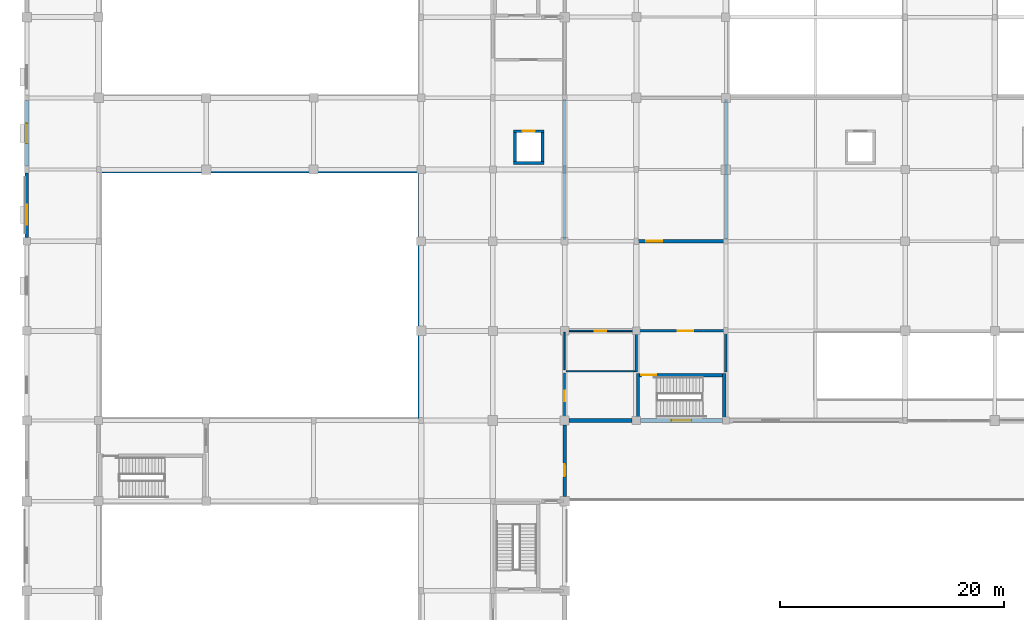
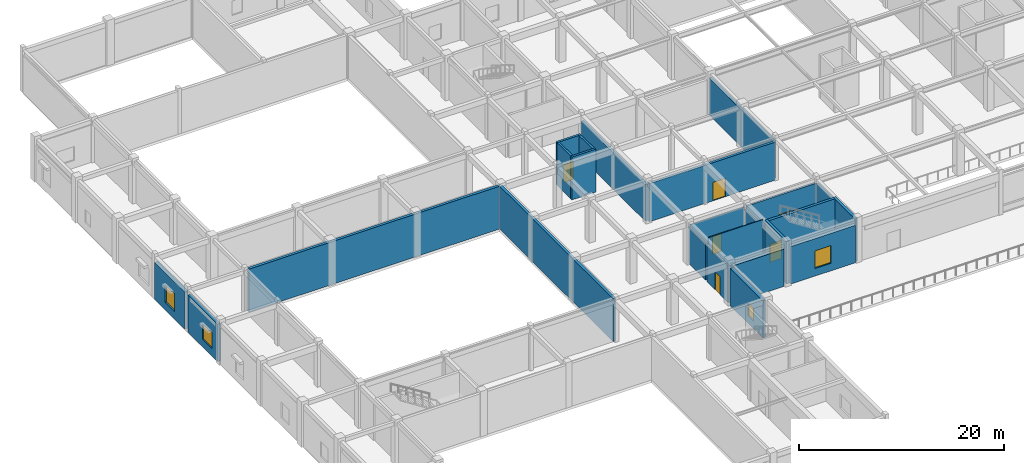
# One storey, part 22 of 36: 24 walls, 6 doors, 4 windows, 10 openings.
"""IFC4 building model written with IfcOpenShell, lengths in metres."""

from ifc_helpers import new_model, si_unit, direction, frame, frame_2d, origin, place, context, subcontext, project, spatial, rectangle, extrude, material, layer, layer_set, type_object, element, fill, save


model = new_model("IFC4")

# Units and contexts
model_context = context("Model", 3, precision=1e-05, world=origin(), true_north=direction((0.0, 1.0)))
body_context = subcontext(model_context, "Body", "Model", "MODEL_VIEW")
ifc_project = project(units=[si_unit("LENGTHUNIT", "METRE"), si_unit("AREAUNIT", "SQUARE_METRE"), si_unit("VOLUMEUNIT", "CUBIC_METRE"), si_unit("PLANEANGLEUNIT", "RADIAN"), si_unit("MASSUNIT", "GRAM", prefix="KILO")], contexts=[model_context])

# Site, building, storey
site_placement = place(None, origin())
site = spatial("IfcSite", under=ifc_project, at=site_placement, CompositionType="ELEMENT")
building_placement = place(site_placement, origin())
building = spatial("IfcBuilding", under=site, at=building_placement, Name="Vellmiral Cinema and Media Centre", CompositionType="ELEMENT")
storey_placement = place(building_placement, frame((0.0, 0.0, 5.39990234375)))
storey = spatial("IfcBuildingStorey", under=building, at=storey_placement, Name="L01", CompositionType="ELEMENT", Elevation=5.39990234375)

# Wall, opening, door
ifc_material_1 = material(Name="Calcium-Silicate Masonry Blockwork", Category="masonry")
ifc_layer_1 = layer(ifc_material_1, 0.10009765625, Name="Calcium-Silicate Masonry Blockwork", Category="masonry")
ifc_material_2 = material(Name="Mineral Wool Acoustic Insulation", Category="insulation")
ifc_layer_2 = layer(ifc_material_2, 0.090087890625, Name="Mineral Wool Acoustic Insulation", Category="insulation")
ifc_layer_3 = layer(ifc_material_1, 0.10009765625, Name="Calcium-Silicate Masonry Blockwork", Category="masonry")
ifc_layer_set_1 = layer_set([ifc_layer_1, ifc_layer_2, ifc_layer_3], Name="Calcium-Silicate Masonry Blockwork")
wall_type_1 = type_object("IfcWallType", Name="WL-AC-290", PredefinedType="SOLIDWALL", material=ifc_layer_set_1)
wall_1_placement = place(storey_placement, frame((48.139892578125, 59.199951171875, 0.0), z_axis=(0.0, 0.0, 1.0), x_axis=(1.0, 0.0, 0.0)))
wall_1 = element("IfcWall", 1, at=wall_1_placement, inside=storey, type_object=wall_type_1, Name="Broadcast Transmission Control Room A Wall S", PredefinedType="SOLIDWALL", context=body_context, shape_type="SweptSolid", body=[
    extrude(rectangle(XDim=14.1201171875, YDim=0.2900390625, at=frame_2d((7.06005859375, 0.0))), origin(), (0.0, 0.0, 1.0), 4.53515625),
])
opening_1_placement = place(wall_1_placement, frame((7.159912109375, 0.0, 0.0)))
opening_1 = element("IfcOpeningElement", 2, at=opening_1_placement, cuts=wall_1, Name="Opening D-AC4", PredefinedType="OPENING", context=body_context, shape_type="SweptSolid", body=[
    extrude(rectangle(XDim=1.39990234375, YDim=2.199951171875, at=frame_2d((0.699951171875, 1.10009765625))), frame((0.0, 0.156982421875, 0.0), z_axis=(0.0, -1.0, 0.0), x_axis=(1.0, 0.0, 0.0)), (0.0, 0.0, 1.0), 0.31396484375),
])
ifc_material_3 = material(Name="Acoustic Studio Door", Category="steel")
door_type_1 = type_object("IfcDoorType", Name="DR-AC-1400x2200", OperationType="NOTDEFINED", PredefinedType="DOOR", material=ifc_material_3)
door_1_placement = place(opening_1_placement, frame((1.39990234375, 0.0, 0.0), z_axis=(0.0, 0.0, 1.0), x_axis=(-1.0, 0.0, 0.0)))
door_1 = element("IfcDoor", 3, at=door_1_placement, inside=storey, type_object=door_type_1, Name="Broadcast Transmission Control Room A Door", OperationType="SINGLE_SWING_LEFT", OverallHeight=2.199951171875, OverallWidth=1.39990234375, PredefinedType="DOOR", context=body_context, shape_type="SweptSolid", body=[
    extrude(rectangle(XDim=1.39990234375, YDim=2.199951171875, at=frame_2d((0.699951171875, 1.10009765625))), frame((0.0, 0.02490234375, 0.0), z_axis=(0.0, -1.0, 0.0), x_axis=(1.0, 0.0, 0.0)), (0.0, 0.0, 1.0), 0.050048828125),
])
fill(opening_1, door_1)

# Walls
wall_2_placement = place(storey_placement, frame((48.0, 59.340087890625, 0.0), z_axis=(0.0, 0.0, 1.0), x_axis=(0.0, 1.0, 0.0)))
element("IfcWall", 4, at=wall_2_placement, inside=storey, type_object=wall_type_1, Name="Broadcast Transmission Control Room A Wall W", PredefinedType="SOLIDWALL", context=body_context, shape_type="SweptSolid", body=[
    extrude(rectangle(XDim=12.52001953125, YDim=0.2900390625, at=frame_2d((6.260009765625, 0.0))), origin(), (0.0, 0.0, 1.0), 4.335205078125),
])
wall_3_placement = place(storey_placement, frame((62.39990234375, 59.340087890625, 0.0), z_axis=(0.0, 0.0, 1.0), x_axis=(0.0, 1.0, 0.0)))
element("IfcWall", 5, at=wall_3_placement, inside=storey, type_object=wall_type_1, Name="Broadcast Transmission Control Room A Wall E", PredefinedType="SOLIDWALL", context=body_context, shape_type="SweptSolid", body=[
    extrude(rectangle(XDim=12.52001953125, YDim=0.2900390625, at=frame_2d((6.260009765625, 0.0))), origin(), (0.0, 0.0, 1.0), 4.43505859375),
])
ifc_material_4 = material(Name="Concrete C40/50", Category="concrete")
ifc_layer_4 = layer(ifc_material_4, 0.300048828125, Name="Concrete C40/50")
ifc_layer_set_2 = layer_set([ifc_layer_4], Name="Concrete C40/50")
wall_type_2 = type_object("IfcWallType", Name="WL-CORE-300", PredefinedType="SHEAR", material=ifc_layer_set_2)
wall_4_placement = place(storey_placement, frame((6.699951171875, 65.449951171875, 0.0), z_axis=(0.0, 0.0, 1.0), x_axis=(1.0, 0.0, 0.0)))
element("IfcWall", 6, at=wall_4_placement, inside=storey, type_object=wall_type_2, Name="Cinema Screen 2 Acoustic Enclosure Wall L01-N1", PredefinedType="SHEAR", context=body_context, shape_type="SweptSolid", body=[
    extrude(rectangle(XDim=28.199951171875, YDim=0.300048828125, at=frame_2d((14.10009765625, 0.0))), origin(), (0.0, 0.0, 1.0), 5.10009765625),
])
wall_5_placement = place(storey_placement, frame((35.050048828125, 43.199951171875, 0.0), z_axis=(0.0, 0.0, 1.0), x_axis=(0.0, 1.0, 0.0)))
element("IfcWall", 7, at=wall_5_placement, inside=storey, type_object=wall_type_2, Name="Cinema Screen 2 Acoustic Enclosure Wall L01-E1", PredefinedType="SHEAR", context=body_context, shape_type="SweptSolid", body=[
    extrude(rectangle(XDim=22.400146484375, YDim=0.300048828125, at=frame_2d((11.2001953125, 0.0))), origin(), (0.0, 0.0, 1.0), 5.10009765625),
])
for number, where, z_axis, x_axis, name in (
    (8, (54.550048828125, 43.199951171875, 0.0), (0.0, 0.0, 1.0), (0.0, 1.0, 0.0), "Stair Core Wall ST-P3 L01-W"),
    (9, (62.25, 43.199951171875, 0.0), (0.0, 0.0, 1.0), (0.0, 1.0, 0.0), "Stair Core Wall ST-P3 L01-E"),
):
    element("IfcWall", number, at=place(storey_placement, frame(where, z_axis=z_axis, x_axis=x_axis)), inside=storey, type_object=wall_type_2, Name=name, PredefinedType="SHEAR", context=body_context, shape_type="SweptSolid", body=[
        extrude(rectangle(XDim=4.199951171875, YDim=0.300048828125, at=frame_2d((2.10009765625, 0.0))), origin(), (0.0, 0.0, 1.0), 5.10009765625),
    ])

# Wall, opening, door
wall_6_placement = place(storey_placement, frame((54.699951171875, 47.25, 0.0), z_axis=(0.0, 0.0, 1.0), x_axis=(1.0, 0.0, 0.0)))
wall_6 = element("IfcWall", 10, at=wall_6_placement, inside=storey, type_object=wall_type_2, Name="Stair Core Wall ST-P3 L01-N", PredefinedType="SHEAR", context=body_context, shape_type="SweptSolid", body=[
    extrude(rectangle(XDim=7.400146484375, YDim=0.300048828125, at=frame_2d((3.7001953125, 0.0))), origin(), (0.0, 0.0, 1.0), 5.10009765625),
])
opening_2_placement = place(wall_6_placement, frame((0.159912109375, 0.0, 0.0)))
opening_2 = element("IfcOpeningElement", 11, at=opening_2_placement, cuts=wall_6, Name="Opening D-FD30A", PredefinedType="OPENING", context=body_context, shape_type="SweptSolid", body=[
    extrude(rectangle(XDim=1.300048828125, YDim=2.179931640625, at=frame_2d((0.64990234375, 1.08984375))), frame((0.0, 0.162109375, 0.0), z_axis=(0.0, -1.0, 0.0), x_axis=(1.0, 0.0, 0.0)), (0.0, 0.0, 1.0), 0.323974609375),
])
ifc_material_5 = material(Name="Steel Stair Fire Door", Category="steel")
door_type_2 = type_object("IfcDoorType", Name="DR-FD30-1300x2180", OperationType="NOTDEFINED", PredefinedType="DOOR", material=ifc_material_5)
door_2_placement = place(opening_2_placement, frame((1.300048828125, 0.0, 0.0), z_axis=(0.0, 0.0, 1.0), x_axis=(-1.0, 0.0, 0.0)))
door_2 = element("IfcDoor", 12, at=door_2_placement, inside=storey, type_object=door_type_2, Name="Protected Stair Door ST-P3 L01", OperationType="SINGLE_SWING_RIGHT", OverallHeight=2.179931640625, OverallWidth=1.300048828125, PredefinedType="DOOR", context=body_context, shape_type="SweptSolid", body=[
    extrude(rectangle(XDim=1.300048828125, YDim=2.179931640625, at=frame_2d((0.64990234375, 1.08984375))), frame((0.0, 0.02490234375, 0.0), z_axis=(0.0, -1.0, 0.0), x_axis=(1.0, 0.0, 0.0)), (0.0, 0.0, 1.0), 0.050048828125),
])
fill(opening_2, door_2)

# Wall, opening, window
ifc_material_6 = material(Name="Polychrome Glazed Ceramic Cladding", Category="masonry")
ifc_layer_5 = layer(ifc_material_6, 0.320068359375, Name="Polychrome Glazed Ceramic Cladding")
ifc_layer_set_3 = layer_set([ifc_layer_5], Name="Polychrome Glazed Ceramic Cladding")
wall_type_3 = type_object("IfcWallType", Name="WL-EXT-BRICK-320", PredefinedType="SOLIDWALL", material=ifc_layer_set_3)
wall_7_placement = place(storey_placement, frame((48.0, 36.425048828125, 0.0), z_axis=(0.0, 0.0, 1.0), x_axis=(0.0, 1.0, 0.0)))
wall_7 = element("IfcWall", 13, at=wall_7_placement, inside=storey, type_object=wall_type_3, Name="Exterior Facade Wall L01-009", PredefinedType="SOLIDWALL", context=body_context, shape_type="SweptSolid", body=[
    extrude(rectangle(XDim=6.375, YDim=0.320068359375, at=frame_2d((3.1875, 0.0))), origin(), (0.0, 0.0, 1.0), 4.440185546875),
])
opening_3_placement = place(wall_7_placement, frame((1.78759765625, 0.0, 0.89990234375)))
opening_3 = element("IfcOpeningElement", 14, at=opening_3_placement, cuts=wall_7, Name="Opening WN-11", PredefinedType="OPENING", context=body_context, shape_type="SweptSolid", body=[
    extrude(rectangle(XDim=1.10009765625, YDim=1.550048828125, at=frame_2d((0.550048828125, 0.77490234375))), frame((0.0, 0.171875, 0.0), z_axis=(0.0, -1.0, 0.0), x_axis=(1.0, 0.0, 0.0)), (0.0, 0.0, 1.0), 0.343994140625),
])
ifc_material_7 = material(Name="Thermally Broken Aluminium Triple Glazing", Category="aluminium")
window_type_1 = type_object("IfcWindowType", Name="WN-1100x1550", PartitioningType="SINGLE_PANEL", PredefinedType="WINDOW", material=ifc_material_7)
window_1_placement = place(opening_3_placement, origin())
window_1 = element("IfcWindow", 15, at=window_1_placement, inside=storey, type_object=window_type_1, Name="Window L01-009", OverallHeight=1.550048828125, OverallWidth=1.10009765625, PartitioningType="SINGLE_PANEL", PredefinedType="WINDOW", context=body_context, shape_type="SweptSolid", body=[
    extrude(rectangle(XDim=1.10009765625, YDim=1.550048828125, at=frame_2d((0.550048828125, 0.77490234375))), frame((0.0, 0.030029296875, 0.0), z_axis=(0.0, -1.0, 0.0), x_axis=(1.0, 0.0, 0.0)), (0.0, 0.0, 1.0), 0.06005859375),
])
fill(opening_3, window_1)

wall_8_placement = place(storey_placement, frame((0.0, 65.300048828125, 0.0), z_axis=(0.0, 0.0, 1.0), x_axis=(0.0, -1.0, 0.0)))
wall_8 = element("IfcWall", 16, at=wall_8_placement, inside=storey, type_object=wall_type_3, Name="Exterior Facade Wall L01-072", PredefinedType="SOLIDWALL", context=body_context, shape_type="SweptSolid", body=[
    extrude(rectangle(XDim=5.775146484375, YDim=0.320068359375, at=frame_2d((2.8876953125, 0.0))), origin(), (0.0, 0.0, 1.0), 4.440185546875),
])
opening_4_placement = place(wall_8_placement, frame((2.83740234375, 0.0, 0.89990234375)))
opening_4 = element("IfcOpeningElement", 17, at=opening_4_placement, cuts=wall_8, Name="Opening WN-04", PredefinedType="OPENING", context=body_context, shape_type="SweptSolid", body=[
    extrude(rectangle(XDim=1.800048828125, YDim=1.85009765625, at=frame_2d((0.89990234375, 0.925048828125))), frame((0.0, 0.171875, 0.0), z_axis=(0.0, -1.0, 0.0), x_axis=(1.0, 0.0, 0.0)), (0.0, 0.0, 1.0), 0.343994140625),
])
ifc_material_8 = material(Name="Thermally Broken Aluminium Triple Glazing", Category="aluminium")
window_type_2 = type_object("IfcWindowType", Name="WN-1800x1850", PartitioningType="DOUBLE_PANEL_VERTICAL", PredefinedType="WINDOW", material=ifc_material_8)
window_2_placement = place(opening_4_placement, origin())
window_2 = element("IfcWindow", 18, at=window_2_placement, inside=storey, type_object=window_type_2, Name="Window L01-072", OverallHeight=1.85009765625, OverallWidth=1.800048828125, PartitioningType="DOUBLE_PANEL_VERTICAL", PredefinedType="WINDOW", context=body_context, shape_type="SweptSolid", body=[
    extrude(rectangle(XDim=1.800048828125, YDim=1.85009765625, at=frame_2d((0.89990234375, 0.925048828125))), frame((0.0, 0.030029296875, 0.0), z_axis=(0.0, -1.0, 0.0), x_axis=(1.0, 0.0, 0.0)), (0.0, 0.0, 1.0), 0.06005859375),
])
fill(opening_4, window_2)

# Wall
ifc_material_9 = material(Name="Vosges Red Sandstone Masonry", Category="masonry")
ifc_layer_6 = layer(ifc_material_9, 0.3798828125, Name="Vosges Red Sandstone Masonry")
ifc_layer_set_4 = layer_set([ifc_layer_6], Name="Vosges Red Sandstone Masonry")
wall_type_4 = type_object("IfcWallType", Name="WL-EXT-SAND-380", PredefinedType="SOLIDWALL", material=ifc_layer_set_4)
wall_9_placement = place(storey_placement, frame((48.39990234375, 43.199951171875, 0.0), z_axis=(0.0, 0.0, 1.0), x_axis=(1.0, 0.0, 0.0)))
element("IfcWall", 19, at=wall_9_placement, inside=storey, type_object=wall_type_4, Name="Exterior Facade Wall L01-010", PredefinedType="SOLIDWALL", context=body_context, shape_type="SweptSolid", body=[
    extrude(rectangle(XDim=5.625, YDim=0.3798828125, at=frame_2d((2.8125, 0.0))), origin(), (0.0, 0.0, 1.0), 4.440185546875),
])

# Wall, opening, window
wall_10_placement = place(storey_placement, frame((54.77490234375, 43.199951171875, 0.0), z_axis=(0.0, 0.0, 1.0), x_axis=(1.0, 0.0, 0.0)))
wall_10 = element("IfcWall", 20, at=wall_10_placement, inside=storey, type_object=wall_type_4, Name="Exterior Facade Wall L01-011", PredefinedType="SOLIDWALL", context=body_context, shape_type="SweptSolid", body=[
    extrude(rectangle(XDim=7.300048828125, YDim=0.3798828125, at=frame_2d((3.64990234375, 0.0))), origin(), (0.0, 0.0, 1.0), 4.455078125),
])
opening_5_placement = place(wall_10_placement, frame((2.75, 0.0, 0.89990234375)))
opening_5 = element("IfcOpeningElement", 21, at=opening_5_placement, cuts=wall_10, Name="Opening WN-03", PredefinedType="OPENING", context=body_context, shape_type="SweptSolid", body=[
    extrude(rectangle(XDim=1.800048828125, YDim=2.10009765625, at=frame_2d((0.89990234375, 1.050048828125))), frame((0.0, 0.201904296875, 0.0), z_axis=(0.0, -1.0, 0.0), x_axis=(1.0, 0.0, 0.0)), (0.0, 0.0, 1.0), 0.40380859375),
])
ifc_material_10 = material(Name="Thermally Broken Aluminium Triple Glazing", Category="aluminium")
window_type_3 = type_object("IfcWindowType", Name="WN-1800x2100", PartitioningType="DOUBLE_PANEL_VERTICAL", PredefinedType="WINDOW", material=ifc_material_10)
window_3_placement = place(opening_5_placement, origin())
window_3 = element("IfcWindow", 22, at=window_3_placement, inside=storey, type_object=window_type_3, Name="Window L01-011", OverallHeight=2.10009765625, OverallWidth=1.800048828125, PartitioningType="DOUBLE_PANEL_VERTICAL", PredefinedType="WINDOW", context=body_context, shape_type="SweptSolid", body=[
    extrude(rectangle(XDim=1.800048828125, YDim=2.10009765625, at=frame_2d((0.89990234375, 1.050048828125))), frame((0.0, 0.030029296875, 0.0), z_axis=(0.0, -1.0, 0.0), x_axis=(1.0, 0.0, 0.0)), (0.0, 0.0, 1.0), 0.06005859375),
])
fill(opening_5, window_3)

wall_11_placement = place(storey_placement, frame((0.0, 71.75, 0.0), z_axis=(0.0, 0.0, 1.0), x_axis=(0.0, -1.0, 0.0)))
wall_11 = element("IfcWall", 23, at=wall_11_placement, inside=storey, type_object=wall_type_4, Name="Exterior Facade Wall L01-071", PredefinedType="SOLIDWALL", context=body_context, shape_type="SweptSolid", body=[
    extrude(rectangle(XDim=5.85009765625, YDim=0.3798828125, at=frame_2d((2.925048828125, 0.0))), origin(), (0.0, 0.0, 1.0), 4.425048828125),
])
opening_6_placement = place(wall_11_placement, frame((2.02490234375, 0.0, 0.89990234375)))
opening_6 = element("IfcOpeningElement", 24, at=opening_6_placement, cuts=wall_11, Name="Opening WN-03", PredefinedType="OPENING", context=body_context, shape_type="SweptSolid", body=[
    extrude(rectangle(XDim=1.800048828125, YDim=2.10009765625, at=frame_2d((0.89990234375, 1.050048828125))), frame((0.0, 0.201904296875, 0.0), z_axis=(0.0, -1.0, 0.0), x_axis=(1.0, 0.0, 0.0)), (0.0, 0.0, 1.0), 0.40380859375),
])
window_4_placement = place(opening_6_placement, origin())
window_4 = element("IfcWindow", 25, at=window_4_placement, inside=storey, type_object=window_type_3, Name="Window L01-071", OverallHeight=2.10009765625, OverallWidth=1.800048828125, PartitioningType="DOUBLE_PANEL_VERTICAL", PredefinedType="WINDOW", context=body_context, shape_type="SweptSolid", body=[
    extrude(rectangle(XDim=1.800048828125, YDim=2.10009765625, at=frame_2d((0.89990234375, 1.050048828125))), frame((0.0, 0.030029296875, 0.0), z_axis=(0.0, -1.0, 0.0), x_axis=(1.0, 0.0, 0.0)), (0.0, 0.0, 1.0), 0.06005859375),
])
fill(opening_6, window_4)

# Wall, opening, door
ifc_material_11 = material(Name="Concrete C40/50", Category="concrete")
ifc_layer_7 = layer(ifc_material_11, 0.22998046875, Name="Concrete C40/50")
ifc_layer_set_5 = layer_set([ifc_layer_7], Name="Concrete C40/50")
wall_type_5 = type_object("IfcWallType", Name="WL-FFL-230", PredefinedType="SOLIDWALL", material=ifc_layer_set_5)
wall_12_placement = place(storey_placement, frame((54.5400390625, 51.199951171875, 0.0), z_axis=(0.0, 0.0, 1.0), x_axis=(1.0, 0.0, 0.0)))
wall_12 = element("IfcWall", 26, at=wall_12_placement, inside=storey, type_object=wall_type_5, Name="Firefighting Stair Lobby ST-P3 Wall N", PredefinedType="SOLIDWALL", context=body_context, shape_type="SweptSolid", body=[
    extrude(rectangle(XDim=7.719970703125, YDim=0.22998046875, at=frame_2d((3.85986328125, 0.0))), origin(), (0.0, 0.0, 1.0), 4.485107421875),
])
opening_7_placement = place(wall_12_placement, frame((3.56005859375, 0.0, 0.0)))
opening_7 = element("IfcOpeningElement", 27, at=opening_7_placement, cuts=wall_12, Name="Opening D-FD60B", PredefinedType="OPENING", context=body_context, shape_type="SweptSolid", body=[
    extrude(rectangle(XDim=1.39990234375, YDim=2.199951171875, at=frame_2d((0.699951171875, 1.10009765625))), frame((0.0, 0.126953125, 0.0), z_axis=(0.0, -1.0, 0.0), x_axis=(1.0, 0.0, 0.0)), (0.0, 0.0, 1.0), 0.25390625),
])
ifc_material_12 = material(Name="Steel Fire Door", Category="steel")
door_type_3 = type_object("IfcDoorType", Name="DR-FD60-1400x2200", OperationType="NOTDEFINED", PredefinedType="DOOR", material=ifc_material_12)
door_3_placement = place(opening_7_placement, frame((1.39990234375, 0.0, 0.0), z_axis=(0.0, 0.0, 1.0), x_axis=(-1.0, 0.0, 0.0)))
door_3 = element("IfcDoor", 28, at=door_3_placement, inside=storey, type_object=door_type_3, Name="Firefighting Stair Lobby ST-P3 Door", OperationType="SINGLE_SWING_LEFT", OverallHeight=2.199951171875, OverallWidth=1.39990234375, PredefinedType="DOOR", context=body_context, shape_type="SweptSolid", body=[
    extrude(rectangle(XDim=1.39990234375, YDim=2.199951171875, at=frame_2d((0.699951171875, 1.10009765625))), frame((0.0, 0.02490234375, 0.0), z_axis=(0.0, -1.0, 0.0), x_axis=(1.0, 0.0, 0.0)), (0.0, 0.0, 1.0), 0.050048828125),
])
fill(opening_7, door_3)

# Walls
wall_13_placement = place(storey_placement, frame((54.39990234375, 47.5400390625, 0.0), z_axis=(0.0, 0.0, 1.0), x_axis=(0.0, 1.0, 0.0)))
element("IfcWall", 29, at=wall_13_placement, inside=storey, type_object=wall_type_5, Name="Firefighting Stair Lobby ST-P3 Wall W", PredefinedType="SOLIDWALL", context=body_context, shape_type="SweptSolid", body=[
    extrude(rectangle(XDim=3.52001953125, YDim=0.22998046875, at=frame_2d((1.760009765625, 0.0))), origin(), (0.0, 0.0, 1.0), 4.18505859375),
])
wall_14_placement = place(storey_placement, frame((62.39990234375, 47.5400390625, 0.0), z_axis=(0.0, 0.0, 1.0), x_axis=(0.0, 1.0, 0.0)))
element("IfcWall", 30, at=wall_14_placement, inside=storey, type_object=wall_type_5, Name="Firefighting Stair Lobby ST-P3 Wall E", PredefinedType="SOLIDWALL", context=body_context, shape_type="SweptSolid", body=[
    extrude(rectangle(XDim=3.52001953125, YDim=0.22998046875, at=frame_2d((1.760009765625, 0.0))), origin(), (0.0, 0.0, 1.0), 4.485107421875),
])
ifc_material_13 = material(Name="Gypsum Plasterboard")
ifc_layer_8 = layer(ifc_material_13, 0.02490234375, Name="Gypsum Plasterboard", Category="gypsum")
ifc_material_14 = material(Name="Mineral Wool Acoustic Insulation", Category="insulation")
ifc_layer_9 = layer(ifc_material_14, 0.06005859375, Name="Mineral Wool Acoustic Insulation", Category="insulation")
ifc_layer_10 = layer(ifc_material_13, 0.02490234375, Name="Gypsum Plasterboard", Category="gypsum")
ifc_layer_set_6 = layer_set([ifc_layer_8, ifc_layer_9, ifc_layer_10], Name="Gypsum Plasterboard")
wall_type_6 = type_object("IfcWallType", Name="WL-PART-110", PredefinedType="PARTITIONING", material=ifc_layer_set_6)
wall_15_placement = place(storey_placement, frame((48.139892578125, 47.60009765625, 0.0), z_axis=(0.0, 0.0, 1.0), x_axis=(1.0, 0.0, 0.0)))
element("IfcWall", 31, at=wall_15_placement, inside=storey, type_object=wall_type_6, Name="L01 Public WC Wall N", PredefinedType="PARTITIONING", context=body_context, shape_type="SweptSolid", body=[
    extrude(rectangle(XDim=6.1201171875, YDim=0.110107421875, at=frame_2d((3.06005859375, 0.0))), origin(), (0.0, 0.0, 1.0), 5.10009765625),
])
ifc_material_15 = material(Name="Gypsum Plasterboard")
ifc_layer_11 = layer(ifc_material_15, 0.02490234375, Name="Gypsum Plasterboard", Category="gypsum")
ifc_material_16 = material(Name="Mineral Wool Acoustic Insulation", Category="insulation")
ifc_layer_12 = layer(ifc_material_16, 0.080078125, Name="Mineral Wool Acoustic Insulation", Category="insulation")
ifc_layer_13 = layer(ifc_material_15, 0.02490234375, Name="Gypsum Plasterboard", Category="gypsum")
ifc_layer_set_7 = layer_set([ifc_layer_11, ifc_layer_12, ifc_layer_13], Name="Gypsum Plasterboard")
wall_type_7 = type_object("IfcWallType", Name="WL-PART-130", PredefinedType="PARTITIONING", material=ifc_layer_set_7)
wall_16_placement = place(storey_placement, frame((48.0, 47.739990234375, 0.0), z_axis=(0.0, 0.0, 1.0), x_axis=(0.0, 1.0, 0.0)))
element("IfcWall", 32, at=wall_16_placement, inside=storey, type_object=wall_type_7, Name="L01 Accessible WC Wall W", PredefinedType="PARTITIONING", context=body_context, shape_type="SweptSolid", body=[
    extrude(rectangle(XDim=3.320068359375, YDim=0.1298828125, at=frame_2d((1.66015625, 0.0))), origin(), (0.0, 0.0, 1.0), 4.385009765625),
])

# Wall, opening, door
ifc_material_17 = material(Name="Gypsum Plasterboard")
ifc_layer_14 = layer(ifc_material_17, 0.02490234375, Name="Gypsum Plasterboard", Category="gypsum")
ifc_material_18 = material(Name="Mineral Wool Acoustic Insulation", Category="insulation")
ifc_layer_15 = layer(ifc_material_18, 0.10009765625, Name="Mineral Wool Acoustic Insulation", Category="insulation")
ifc_layer_16 = layer(ifc_material_17, 0.02490234375, Name="Gypsum Plasterboard", Category="gypsum")
ifc_layer_set_8 = layer_set([ifc_layer_14, ifc_layer_15, ifc_layer_16], Name="Gypsum Plasterboard")
wall_type_8 = type_object("IfcWallType", Name="WL-PART-150", PredefinedType="PARTITIONING", material=ifc_layer_set_8)
wall_17_placement = place(storey_placement, frame((48.139892578125, 51.199951171875, 0.0), z_axis=(0.0, 0.0, 1.0), x_axis=(1.0, 0.0, 0.0)))
wall_17 = element("IfcWall", 33, at=wall_17_placement, inside=storey, type_object=wall_type_8, Name="L01 Accessible WC Wall N", PredefinedType="PARTITIONING", context=body_context, shape_type="SweptSolid", body=[
    extrude(rectangle(XDim=6.1201171875, YDim=0.14990234375, at=frame_2d((3.06005859375, 0.0))), origin(), (0.0, 0.0, 1.0), 4.43505859375),
])
opening_8_placement = place(wall_17_placement, frame((2.534912109375, 0.0, 0.0)))
opening_8 = element("IfcOpeningElement", 34, at=opening_8_placement, cuts=wall_17, Name="Opening D-I10", PredefinedType="OPENING", context=body_context, shape_type="SweptSolid", body=[
    extrude(rectangle(XDim=1.050048828125, YDim=2.14990234375, at=frame_2d((0.52490234375, 1.074951171875))), frame((0.0, 0.0869140625, 0.0), z_axis=(0.0, -1.0, 0.0), x_axis=(1.0, 0.0, 0.0)), (0.0, 0.0, 1.0), 0.173828125),
])
ifc_material_19 = material(Name="Barrier-Free Timber Door", Category="wood")
door_type_4 = type_object("IfcDoorType", Name="DR-ACC-1050x2150", OperationType="NOTDEFINED", PredefinedType="DOOR", material=ifc_material_19)
door_4_placement = place(opening_8_placement, frame((1.050048828125, 0.0, 0.0), z_axis=(0.0, 0.0, 1.0), x_axis=(-1.0, 0.0, 0.0)))
door_4 = element("IfcDoor", 35, at=door_4_placement, inside=storey, type_object=door_type_4, Name="L01 Accessible WC Door", OperationType="SINGLE_SWING_RIGHT", OverallHeight=2.14990234375, OverallWidth=1.050048828125, PredefinedType="DOOR", context=body_context, shape_type="SweptSolid", body=[
    extrude(rectangle(XDim=1.050048828125, YDim=2.14990234375, at=frame_2d((0.52490234375, 1.074951171875))), frame((0.0, 0.02490234375, 0.0), z_axis=(0.0, -1.0, 0.0), x_axis=(1.0, 0.0, 0.0)), (0.0, 0.0, 1.0), 0.050048828125),
])
fill(opening_8, door_4)

ifc_material_20 = material(Name="Gypsum Plasterboard")
ifc_layer_17 = layer(ifc_material_20, 0.02490234375, Name="Gypsum Plasterboard", Category="gypsum")
ifc_material_21 = material(Name="Mineral Wool Acoustic Insulation", Category="insulation")
ifc_layer_18 = layer(ifc_material_21, 0.139892578125, Name="Mineral Wool Acoustic Insulation", Category="insulation")
ifc_layer_19 = layer(ifc_material_20, 0.02490234375, Name="Gypsum Plasterboard", Category="gypsum")
ifc_layer_set_9 = layer_set([ifc_layer_17, ifc_layer_18, ifc_layer_19], Name="Gypsum Plasterboard")
wall_type_9 = type_object("IfcWallType", Name="WL-PART-190", PredefinedType="PARTITIONING", material=ifc_layer_set_9)
wall_18_placement = place(storey_placement, frame((48.0, 43.304931640625, 0.0), z_axis=(0.0, 0.0, 1.0), x_axis=(0.0, 1.0, 0.0)))
wall_18 = element("IfcWall", 36, at=wall_18_placement, inside=storey, type_object=wall_type_9, Name="L01 Public WC Wall W", PredefinedType="PARTITIONING", context=body_context, shape_type="SweptSolid", body=[
    extrude(rectangle(XDim=4.155029296875, YDim=0.18994140625, at=frame_2d((2.07763671875, 0.0))), origin(), (0.0, 0.0, 1.0), 4.385009765625),
])
opening_9_placement = place(wall_18_placement, frame((1.6201171875, 0.0, 0.0)))
opening_9 = element("IfcOpeningElement", 37, at=opening_9_placement, cuts=wall_18, Name="Opening D-I09", PredefinedType="OPENING", context=body_context, shape_type="SweptSolid", body=[
    extrude(rectangle(XDim=0.949951171875, YDim=2.14990234375, at=frame_2d((0.47509765625, 1.074951171875))), frame((0.0, 0.10693359375, 0.0), z_axis=(0.0, -1.0, 0.0), x_axis=(1.0, 0.0, 0.0)), (0.0, 0.0, 1.0), 0.2138671875),
])
ifc_material_22 = material(Name="Moisture-Resistant Timber Door", Category="wood")
door_type_5 = type_object("IfcDoorType", Name="DR-INT-950x2150", OperationType="NOTDEFINED", PredefinedType="DOOR", material=ifc_material_22)
door_5_placement = place(opening_9_placement, frame((0.949951171875, 0.0, 0.0), z_axis=(0.0, 0.0, 1.0), x_axis=(-1.0, 0.0, 0.0)))
door_5 = element("IfcDoor", 38, at=door_5_placement, inside=storey, type_object=door_type_5, Name="L01 Public WC Door", OperationType="SINGLE_SWING_LEFT", OverallHeight=2.14990234375, OverallWidth=0.949951171875, PredefinedType="DOOR", context=body_context, shape_type="SweptSolid", body=[
    extrude(rectangle(XDim=0.949951171875, YDim=2.14990234375, at=frame_2d((0.47509765625, 1.074951171875))), frame((0.0, 0.02490234375, 0.0), z_axis=(0.0, -1.0, 0.0), x_axis=(1.0, 0.0, 0.0)), (0.0, 0.0, 1.0), 0.050048828125),
])
fill(opening_9, door_5)

# Wall
ifc_material_23 = material(Name="Concrete C40/50", Category="concrete")
ifc_layer_20 = layer(ifc_material_23, 0.25, Name="Concrete C40/50")
ifc_layer_set_10 = layer_set([ifc_layer_20], Name="Concrete C40/50")
wall_type_10 = type_object("IfcWallType", Name="WL-SHAFT-250", PredefinedType="SHEAR", material=ifc_layer_set_10)
wall_19_placement = place(storey_placement, frame((43.449951171875, 66.175048828125, 0.0), z_axis=(0.0, 0.0, 1.0), x_axis=(1.0, 0.0, 0.0)))
element("IfcWall", 39, at=wall_19_placement, inside=storey, type_object=wall_type_10, Name="Lift Shaft Wall LF-C1 L01-S", PredefinedType="SHEAR", context=body_context, shape_type="SweptSolid", body=[
    extrude(rectangle(XDim=2.699951171875, YDim=0.25, at=frame_2d((1.35009765625, 0.0))), origin(), (0.0, 0.0, 1.0), 5.10009765625),
])

# Wall, opening, door
wall_20_placement = place(storey_placement, frame((43.449951171875, 69.02490234375, 0.0), z_axis=(0.0, 0.0, 1.0), x_axis=(1.0, 0.0, 0.0)))
wall_20 = element("IfcWall", 40, at=wall_20_placement, inside=storey, type_object=wall_type_10, Name="Lift Shaft Wall LF-C1 L01-N", PredefinedType="SHEAR", context=body_context, shape_type="SweptSolid", body=[
    extrude(rectangle(XDim=2.699951171875, YDim=0.25, at=frame_2d((1.35009765625, 0.0))), origin(), (0.0, 0.0, 1.0), 5.10009765625),
])
opening_10_placement = place(wall_20_placement, frame((0.800048828125, 0.0, 0.0)))
opening_10 = element("IfcOpeningElement", 41, at=opening_10_placement, cuts=wall_20, Name="Opening LD-01", PredefinedType="OPENING", context=body_context, shape_type="SweptSolid", body=[
    extrude(rectangle(XDim=1.10009765625, YDim=2.14990234375, at=frame_2d((0.550048828125, 1.074951171875))), frame((0.0, 0.136962890625, 0.0), z_axis=(0.0, -1.0, 0.0), x_axis=(1.0, 0.0, 0.0)), (0.0, 0.0, 1.0), 0.27392578125),
])
ifc_material_24 = material(Name="Stainless Steel Lift Landing Door", Category="steel")
door_type_6 = type_object("IfcDoorType", Name="DR-LIFT-1100x2150", OperationType="SLIDING_TO_LEFT", PredefinedType="DOOR", material=ifc_material_24)
door_6_placement = place(opening_10_placement, origin())
door_6 = element("IfcDoor", 42, at=door_6_placement, inside=storey, type_object=door_type_6, Name="Lift Landing Door LF-C1 L01", OperationType="SLIDING_TO_LEFT", OverallHeight=2.14990234375, OverallWidth=1.10009765625, PredefinedType="DOOR", context=body_context, shape_type="SweptSolid", body=[
    extrude(rectangle(XDim=1.10009765625, YDim=2.14990234375, at=frame_2d((0.550048828125, 1.074951171875))), frame((0.0, 0.02490234375, 0.0), z_axis=(0.0, -1.0, 0.0), x_axis=(1.0, 0.0, 0.0)), (0.0, 0.0, 1.0), 0.050048828125),
])
fill(opening_10, door_6)

# Walls
for number, where, z_axis, x_axis, name in (
    (43, (43.574951171875, 66.300048828125, 0.0), (0.0, 0.0, 1.0), (0.0, 1.0, 0.0), "Lift Shaft Wall LF-C1 L01-W"),
    (44, (46.02490234375, 66.300048828125, 0.0), (0.0, 0.0, 1.0), (0.0, 1.0, 0.0), "Lift Shaft Wall LF-C1 L01-E"),
):
    element("IfcWall", number, at=place(storey_placement, frame(where, z_axis=z_axis, x_axis=x_axis)), inside=storey, type_object=wall_type_10, Name=name, PredefinedType="SHEAR", context=body_context, shape_type="SweptSolid", body=[
        extrude(rectangle(XDim=2.599853515625, YDim=0.25, at=frame_2d((1.2998046875, 0.0))), origin(), (0.0, 0.0, 1.0), 5.10009765625),
    ])

save(model, "model.ifc")
